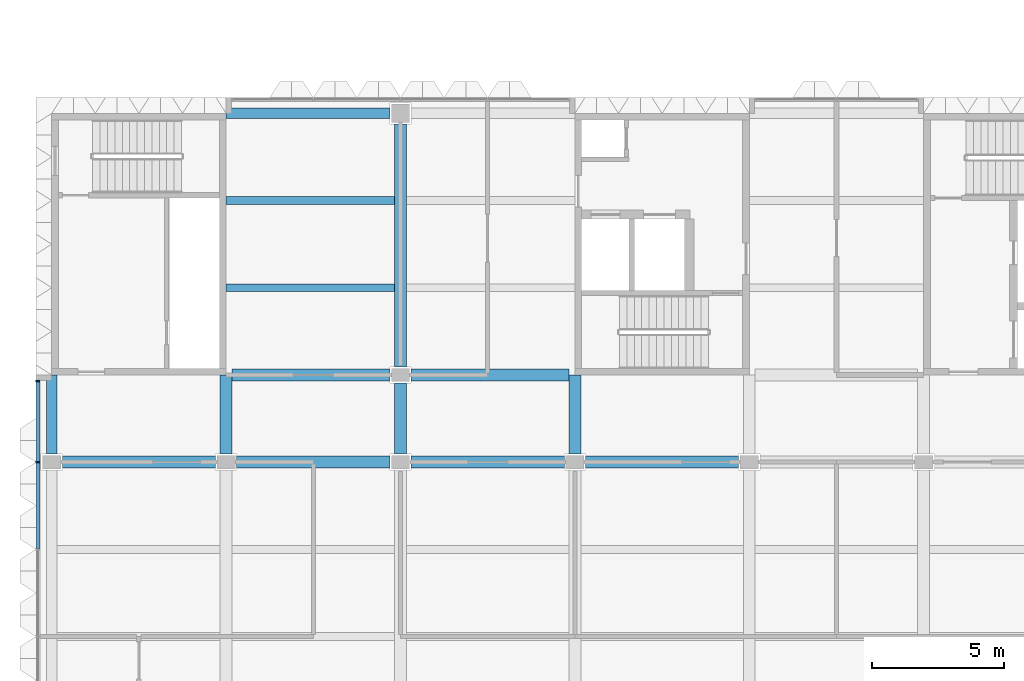
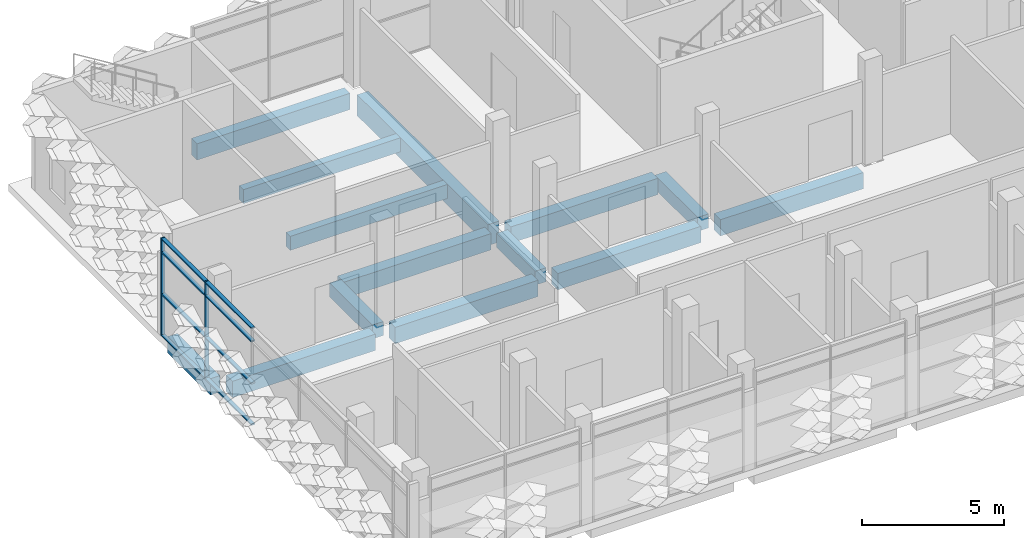
# One storey, part 7 of 109: 14 beams, 10 members, 1 element without a shape of its own.
"""IFC4 building model written with IfcOpenShell, lengths in metres."""

from ifc_helpers import new_model, si_unit, direction, frame, origin, origin_2d, place, context, subcontext, project, spatial, rectangle, extrude, material, material_profile, profile_set, type_object, element, aggregate, save


model = new_model("IFC4")

# Units and contexts
model_context = context("Model", 3, precision=1e-05, world=origin(), true_north=direction((0.0, 1.0)))
body_context = subcontext(model_context, "Body", "Model", "MODEL_VIEW")
ifc_project = project(units=[si_unit("LENGTHUNIT", "METRE"), si_unit("AREAUNIT", "SQUARE_METRE"), si_unit("VOLUMEUNIT", "CUBIC_METRE"), si_unit("PLANEANGLEUNIT", "RADIAN"), si_unit("MASSUNIT", "GRAM", prefix="KILO")], contexts=[model_context])

# Site, building, storey
site_placement = place(None, origin())
site = spatial("IfcSite", under=ifc_project, at=site_placement, CompositionType="ELEMENT")
building_placement = place(site_placement, origin())
building = spatial("IfcBuilding", under=site, at=building_placement, Name="Lantern Court Research Institute", CompositionType="ELEMENT")
storey_placement = place(building_placement, frame((0.0, 0.0, 14.39990234375)))
storey = spatial("IfcBuildingStorey", under=building, at=storey_placement, Name="L03", CompositionType="ELEMENT", Elevation=14.39990234375)

# Curtain wall, members
ifc_material_1 = material(Name="Aluminium alloy 6063-T6", Category="aluminium")
curtain_wall_type = type_object("IfcCurtainWallType", Name="Curtain wall 17350 x 4200 x 150 aluminium frame", PredefinedType="NOTDEFINED", material=ifc_material_1)
curtain_wall_placement = place(storey_placement, origin())
curtain_wall = element("IfcCurtainWall", 1, at=curtain_wall_placement, inside=storey, type_object=curtain_wall_type, Name="Curtain wall CW056", PredefinedType="NOTDEFINED")
ifc_material_2 = material(Name="Aluminium alloy 6063-T6", Category="aluminium")
ifc_material_profile_1 = material_profile(ifc_material_2, rectangle(XDim=0.14990234375, YDim=0.06005859375, at=origin_2d()), Name="Mullion 150 x 60")
ifc_profile_set_1 = profile_set([ifc_material_profile_1], Name="Aluminium alloy 6063-T6")
member_type_1 = type_object("IfcMemberType", Name="Mullion 150 x 60 aluminium", PredefinedType="MULLION", material=ifc_profile_set_1)
member_1_placement = place(storey_placement, frame((-0.52490234375, 9.89990234375, 0.0), z_axis=(0.0, 0.0, 1.0), x_axis=(-1.0, 0.0, 0.0)))
member_1 = element("IfcMember", 2, at=member_1_placement, type_object=member_type_1, Name="CW056 mullion 6", PredefinedType="MULLION", context=body_context, shape_type="SweptSolid", body=[
    extrude(rectangle(XDim=0.14990234375, YDim=0.06005859375, at=origin_2d()), origin(), (0.0, 0.0, 1.0), 4.2001953125),
])
member_2_placement = place(storey_placement, frame((-0.52490234375, 12.969970703125, 0.0), z_axis=(0.0, 0.0, 1.0), x_axis=(-1.0, 0.0, 0.0)))
member_2 = element("IfcMember", 3, at=member_2_placement, type_object=member_type_1, Name="CW056 mullion 7", PredefinedType="MULLION", context=body_context, shape_type="SweptSolid", body=[
    extrude(rectangle(XDim=0.14990234375, YDim=0.06005859375, at=origin_2d()), origin(), (0.0, 0.0, 1.0), 4.2001953125),
])

# Beams
ifc_material_3 = material(Name="Concrete C40/50", Category="concrete")
ifc_material_profile_2 = material_profile(ifc_material_3, rectangle(XDim=0.449951171875, YDim=0.699951171875, at=origin_2d()), Name="RC beam 450 x 700")
ifc_profile_set_2 = profile_set([ifc_material_profile_2], Name="Concrete C40/50")
beam_type_1 = type_object("IfcBeamType", Name="RC beam 450 x 700", PredefinedType="BEAM", material=ifc_profile_set_2)
for number, where, z_axis, x_axis, name in (
    (4, (0.39990234375, 9.89990234375, -0.64990234375), (1.0, 0.0, 0.0), (0.0, 1.0, 0.0), "Beam L03 grid B/1-2"),
    (5, (7.0, 9.89990234375, -0.64990234375), (1.0, 0.0, 0.0), (0.0, 1.0, 0.0), "Beam L03 grid B/2-3"),
):
    element("IfcBeam", number, at=place(storey_placement, frame(where, z_axis=z_axis, x_axis=x_axis)), inside=storey, type_object=beam_type_1, Name=name, PredefinedType="BEAM", context=body_context, shape_type="SweptSolid", body=[
        extrude(rectangle(XDim=0.449951171875, YDim=0.699951171875, at=origin_2d()), origin(), (0.0, 0.0, 1.0), 5.800048828125),
    ])
beam_1_placement = place(storey_placement, frame((13.60009765625, 9.89990234375, -0.64990234375), z_axis=(1.0, 0.0, 0.0), x_axis=(0.0, 1.0, 0.0)))
element("IfcBeam", 6, at=beam_1_placement, inside=storey, type_object=beam_type_1, Name="Beam L03 grid B/3-4", PredefinedType="BEAM", context=body_context, shape_type="SweptSolid", body=[
    extrude(rectangle(XDim=0.449951171875, YDim=0.699951171875, at=origin_2d()), origin(), (0.0, 0.0, 1.0), 5.7998046875),
])
beam_2_placement = place(storey_placement, frame((20.199951171875, 9.89990234375, -0.64990234375), z_axis=(1.0, 0.0, 0.0), x_axis=(0.0, 1.0, 0.0)))
element("IfcBeam", 7, at=beam_2_placement, inside=storey, type_object=beam_type_1, Name="Beam L03 grid B/4-5", PredefinedType="BEAM", context=body_context, shape_type="SweptSolid", body=[
    extrude(rectangle(XDim=0.449951171875, YDim=0.699951171875, at=origin_2d()), origin(), (0.0, 0.0, 1.0), 5.800048828125),
])
beam_3_placement = place(storey_placement, frame((6.824951171875, 13.199951171875, -0.64990234375), z_axis=(1.0, 0.0, 0.0), x_axis=(0.0, 1.0, 0.0)))
element("IfcBeam", 8, at=beam_3_placement, inside=storey, type_object=beam_type_1, Name="Beam L03 grid C/2-3", PredefinedType="BEAM", context=body_context, shape_type="SweptSolid", body=[
    extrude(rectangle(XDim=0.449951171875, YDim=0.699951171875, at=origin_2d()), origin(), (0.0, 0.0, 1.0), 5.97509765625),
])
beam_4_placement = place(storey_placement, frame((13.60009765625, 13.199951171875, -0.64990234375), z_axis=(1.0, 0.0, 0.0), x_axis=(0.0, 1.0, 0.0)))
element("IfcBeam", 9, at=beam_4_placement, inside=storey, type_object=beam_type_1, Name="Beam L03 grid C/3-4", PredefinedType="BEAM", context=body_context, shape_type="SweptSolid", body=[
    extrude(rectangle(XDim=0.449951171875, YDim=0.699951171875, at=origin_2d()), origin(), (0.0, 0.0, 1.0), 5.974853515625),
])
ifc_material_4 = material(Name="Concrete C40/50", Category="concrete")
ifc_material_profile_3 = material_profile(ifc_material_4, rectangle(XDim=0.39990234375, YDim=0.699951171875, at=origin_2d()), Name="RC beam 400 x 700")
ifc_profile_set_3 = profile_set([ifc_material_profile_3], Name="Concrete C40/50")
beam_type_2 = type_object("IfcBeamType", Name="RC edge beam 400 x 700", PredefinedType="BEAM", material=ifc_profile_set_3)
beam_5_placement = place(storey_placement, frame((0.0, 10.199951171875, -0.64990234375), z_axis=(0.0, 1.0, 0.0), x_axis=(-1.0, 0.0, 0.0)))
element("IfcBeam", 10, at=beam_5_placement, inside=storey, type_object=beam_type_2, Name="Edge beam L03 grid 1/B-C", PredefinedType="BEAM", context=body_context, shape_type="SweptSolid", body=[
    extrude(rectangle(XDim=0.39990234375, YDim=0.699951171875, at=origin_2d()), origin(), (0.0, 0.0, 1.0), 3.0),
])
beam_6_placement = place(storey_placement, frame((6.60009765625, 23.10009765625, -0.64990234375), z_axis=(1.0, 0.0, 0.0), x_axis=(0.0, 1.0, 0.0)))
element("IfcBeam", 11, at=beam_6_placement, inside=storey, type_object=beam_type_2, Name="Edge beam L03 grid D/2-3", PredefinedType="BEAM", context=body_context, shape_type="SweptSolid", body=[
    extrude(rectangle(XDim=0.39990234375, YDim=0.699951171875, at=origin_2d()), origin(), (0.0, 0.0, 1.0), 6.199951171875),
])
ifc_material_5 = material(Name="Concrete C40/50", Category="concrete")
ifc_material_profile_4 = material_profile(ifc_material_5, rectangle(XDim=0.449951171875, YDim=0.89990234375, at=origin_2d()), Name="RC beam 450 x 900")
ifc_profile_set_4 = profile_set([ifc_material_profile_4], Name="Concrete C40/50")
beam_type_3 = type_object("IfcBeamType", Name="RC girder 450 x 900", PredefinedType="BEAM", material=ifc_profile_set_4)
beam_7_placement = place(storey_placement, frame((13.199951171875, 13.5, -0.75), z_axis=(0.0, 1.0, 0.0), x_axis=(-1.0, 0.0, 0.0)))
element("IfcBeam", 12, at=beam_7_placement, inside=storey, type_object=beam_type_3, Name="Girder L03 grid 3/C-D", PredefinedType="BEAM", context=body_context, shape_type="SweptSolid", body=[
    extrude(rectangle(XDim=0.449951171875, YDim=0.89990234375, at=origin_2d()), origin(), (0.0, 0.0, 1.0), 9.199951171875),
])
ifc_material_6 = material(Name="Concrete C40/50", Category="concrete")
ifc_material_profile_5 = material_profile(ifc_material_6, rectangle(XDim=0.300048828125, YDim=0.60009765625, at=origin_2d()), Name="RC beam 300 x 600")
ifc_profile_set_5 = profile_set([ifc_material_profile_5], Name="Concrete C40/50")
beam_type_4 = type_object("IfcBeamType", Name="RC secondary beam 300 x 600", PredefinedType="BEAM", material=ifc_profile_set_5)
for number, where, z_axis, x_axis, name in (
    (13, (6.60009765625, 16.5, -0.599853515625), (1.0, 0.0, 0.0), (0.0, 1.0, 0.0), "Secondary beam L03 grids 2-3 / C-D, line 1"),
    (14, (6.60009765625, 19.800048828125, -0.599853515625), (1.0, 0.0, 0.0), (0.0, 1.0, 0.0), "Secondary beam L03 grids 2-3 / C-D, line 2"),
):
    element("IfcBeam", number, at=place(storey_placement, frame(where, z_axis=z_axis, x_axis=x_axis)), inside=storey, type_object=beam_type_4, Name=name, PredefinedType="BEAM", context=body_context, shape_type="SweptSolid", body=[
        extrude(rectangle(XDim=0.300048828125, YDim=0.60009765625, at=origin_2d()), origin(), (0.0, 0.0, 1.0), 6.375),
    ])
ifc_material_7 = material(Name="Concrete C40/50", Category="concrete")
ifc_material_profile_6 = material_profile(ifc_material_7, rectangle(XDim=0.449951171875, YDim=0.60009765625, at=origin_2d()), Name="RC beam 450 x 600")
ifc_profile_set_6 = profile_set([ifc_material_profile_6], Name="Concrete C40/50")
beam_type_5 = type_object("IfcBeamType", Name="RC spine beam 450 x 600", PredefinedType="BEAM", material=ifc_profile_set_6)
beam_8_placement = place(storey_placement, frame((6.60009765625, 10.199951171875, -0.599853515625), z_axis=(0.0, 1.0, 0.0), x_axis=(-1.0, 0.0, 0.0)))
element("IfcBeam", 15, at=beam_8_placement, inside=storey, type_object=beam_type_5, Name="Beam L03 grid 2/B-C", PredefinedType="BEAM", context=body_context, shape_type="SweptSolid", body=[
    extrude(rectangle(XDim=0.449951171875, YDim=0.60009765625, at=origin_2d()), origin(), (0.0, 0.0, 1.0), 3.0),
])
beam_9_placement = place(storey_placement, frame((13.199951171875, 10.199951171875, -0.599853515625), z_axis=(0.0, 1.0, 0.0), x_axis=(-1.0, 0.0, 0.0)))
element("IfcBeam", 16, at=beam_9_placement, inside=storey, type_object=beam_type_5, Name="Beam L03 grid 3/B-C", PredefinedType="BEAM", context=body_context, shape_type="SweptSolid", body=[
    extrude(rectangle(XDim=0.449951171875, YDim=0.60009765625, at=origin_2d()), origin(), (0.0, 0.0, 1.0), 2.699951171875),
])
beam_10_placement = place(storey_placement, frame((19.800048828125, 10.199951171875, -0.599853515625), z_axis=(0.0, 1.0, 0.0), x_axis=(-1.0, 0.0, 0.0)))
element("IfcBeam", 17, at=beam_10_placement, inside=storey, type_object=beam_type_5, Name="Beam L03 grid 4/B-C", PredefinedType="BEAM", context=body_context, shape_type="SweptSolid", body=[
    extrude(rectangle(XDim=0.449951171875, YDim=0.60009765625, at=origin_2d()), origin(), (0.0, 0.0, 1.0), 3.0),
])

# Member
ifc_material_8 = material(Name="Aluminium alloy 6063-T6", Category="aluminium")
ifc_material_profile_7 = material_profile(ifc_material_8, rectangle(XDim=0.14990234375, YDim=0.06005859375, at=origin_2d()), Name="Transom 150 x 60")
ifc_profile_set_7 = profile_set([ifc_material_profile_7], Name="Aluminium alloy 6063-T6")
member_type_2 = type_object("IfcMemberType", Name="Transom 150 x 60 aluminium", PredefinedType="USERDEFINED", material=ifc_profile_set_7)
member_3_placement = place(storey_placement, frame((-0.52490234375, 6.6298828125, 0.030029296875), z_axis=(0.0, 1.0, 0.0), x_axis=(-1.0, 0.0, 0.0)))
member_3 = element("IfcMember", 18, at=member_3_placement, type_object=member_type_2, Name="CW056 transom 5.1", ObjectType="TRANSOM", PredefinedType="USERDEFINED", context=body_context, shape_type="SweptSolid", body=[
    extrude(rectangle(XDim=0.14990234375, YDim=0.06005859375, at=origin_2d()), origin(), (0.0, 0.0, 1.0), 3.240234375),
])

member_4_placement = place(storey_placement, frame((-0.52490234375, 6.6298828125, 1.800048828125), z_axis=(0.0, 1.0, 0.0), x_axis=(-1.0, 0.0, 0.0)))
member_4 = element("IfcMember", 19, at=member_4_placement, type_object=member_type_2, Name="CW056 transom 5.2", ObjectType="TRANSOM", PredefinedType="USERDEFINED", context=body_context, shape_type="SweptSolid", body=[
    extrude(rectangle(XDim=0.14990234375, YDim=0.06005859375, at=origin_2d()), origin(), (0.0, 0.0, 1.0), 3.240234375),
])

member_5_placement = place(storey_placement, frame((-0.52490234375, 6.6298828125, 3.60009765625), z_axis=(0.0, 1.0, 0.0), x_axis=(-1.0, 0.0, 0.0)))
member_5 = element("IfcMember", 20, at=member_5_placement, type_object=member_type_2, Name="CW056 transom 5.3", ObjectType="TRANSOM", PredefinedType="USERDEFINED", context=body_context, shape_type="SweptSolid", body=[
    extrude(rectangle(XDim=0.14990234375, YDim=0.06005859375, at=origin_2d()), origin(), (0.0, 0.0, 1.0), 3.240234375),
])

member_6_placement = place(storey_placement, frame((-0.52490234375, 6.6298828125, 4.170166015625), z_axis=(0.0, 1.0, 0.0), x_axis=(-1.0, 0.0, 0.0)))
member_6 = element("IfcMember", 21, at=member_6_placement, type_object=member_type_2, Name="CW056 transom 5.4", ObjectType="TRANSOM", PredefinedType="USERDEFINED", context=body_context, shape_type="SweptSolid", body=[
    extrude(rectangle(XDim=0.14990234375, YDim=0.06005859375, at=origin_2d()), origin(), (0.0, 0.0, 1.0), 3.240234375),
])

member_7_placement = place(storey_placement, frame((-0.52490234375, 9.929931640625, 0.030029296875), z_axis=(0.0, 1.0, 0.0), x_axis=(-1.0, 0.0, 0.0)))
member_7 = element("IfcMember", 22, at=member_7_placement, type_object=member_type_2, Name="CW056 transom 6.1", ObjectType="TRANSOM", PredefinedType="USERDEFINED", context=body_context, shape_type="SweptSolid", body=[
    extrude(rectangle(XDim=0.14990234375, YDim=0.06005859375, at=origin_2d()), origin(), (0.0, 0.0, 1.0), 3.010009765625),
])

member_8_placement = place(storey_placement, frame((-0.52490234375, 9.929931640625, 1.800048828125), z_axis=(0.0, 1.0, 0.0), x_axis=(-1.0, 0.0, 0.0)))
member_8 = element("IfcMember", 23, at=member_8_placement, type_object=member_type_2, Name="CW056 transom 6.2", ObjectType="TRANSOM", PredefinedType="USERDEFINED", context=body_context, shape_type="SweptSolid", body=[
    extrude(rectangle(XDim=0.14990234375, YDim=0.06005859375, at=origin_2d()), origin(), (0.0, 0.0, 1.0), 3.010009765625),
])

member_9_placement = place(storey_placement, frame((-0.52490234375, 9.929931640625, 3.60009765625), z_axis=(0.0, 1.0, 0.0), x_axis=(-1.0, 0.0, 0.0)))
member_9 = element("IfcMember", 24, at=member_9_placement, type_object=member_type_2, Name="CW056 transom 6.3", ObjectType="TRANSOM", PredefinedType="USERDEFINED", context=body_context, shape_type="SweptSolid", body=[
    extrude(rectangle(XDim=0.14990234375, YDim=0.06005859375, at=origin_2d()), origin(), (0.0, 0.0, 1.0), 3.010009765625),
])

member_10_placement = place(storey_placement, frame((-0.52490234375, 9.929931640625, 4.170166015625), z_axis=(0.0, 1.0, 0.0), x_axis=(-1.0, 0.0, 0.0)))
member_10 = element("IfcMember", 25, at=member_10_placement, type_object=member_type_2, Name="CW056 transom 6.4", ObjectType="TRANSOM", PredefinedType="USERDEFINED", context=body_context, shape_type="SweptSolid", body=[
    extrude(rectangle(XDim=0.14990234375, YDim=0.06005859375, at=origin_2d()), origin(), (0.0, 0.0, 1.0), 3.010009765625),
])

aggregate(curtain_wall, [member_1, member_2, member_3, member_4, member_5, member_6, member_7, member_8, member_9, member_10])

save(model, "model.ifc")
